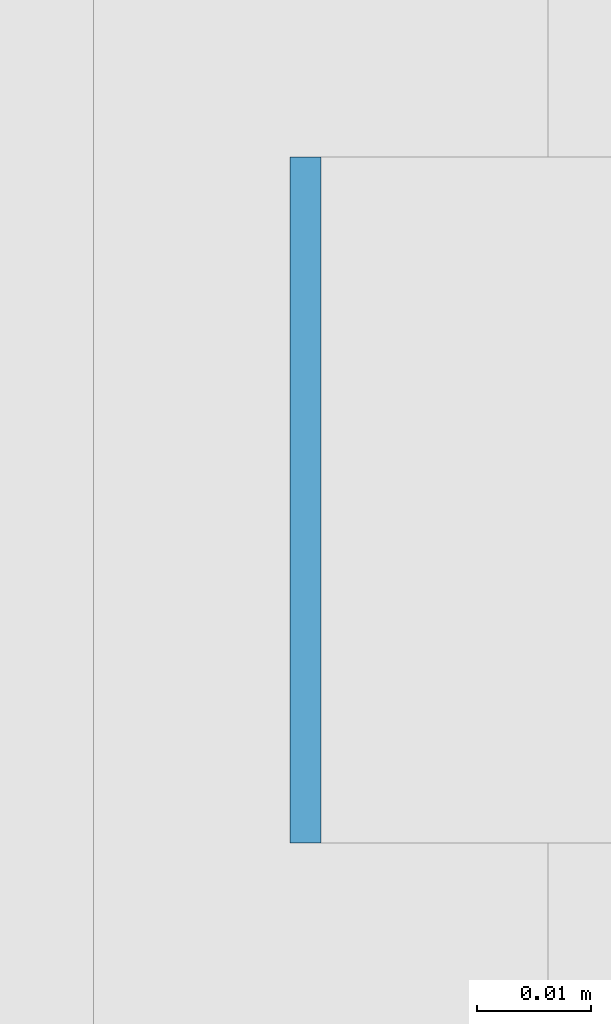
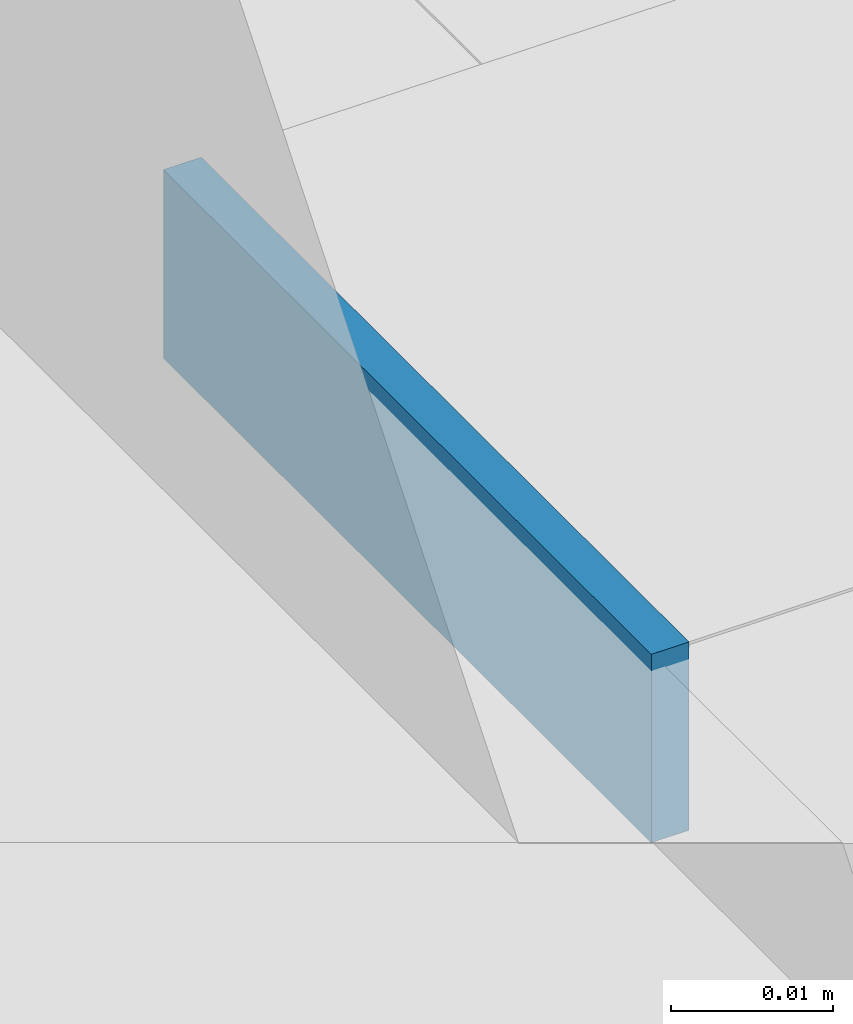
# One storey, part 593 of 646: 1 discrete accessory.
"""IFC4 building model written with IfcOpenShell, lengths in metres."""

from ifc_helpers import new_model, si_unit, direction, frame, origin, origin_2d, place, context, subcontext, project, spatial, rectangle, extrude, material, type_object, element, save


model = new_model("IFC4")

# Units and contexts
model_context = context("Model", 3, precision=1e-05, world=origin(), true_north=direction((0.0, 1.0)))
body_context = subcontext(model_context, "Body", "Model", "MODEL_VIEW")
ifc_project = project(units=[si_unit("LENGTHUNIT", "METRE"), si_unit("AREAUNIT", "SQUARE_METRE"), si_unit("VOLUMEUNIT", "CUBIC_METRE"), si_unit("PLANEANGLEUNIT", "RADIAN"), si_unit("MASSUNIT", "GRAM", prefix="KILO")], contexts=[model_context])

# Site, building, storey
site_placement = place(None, origin())
site = spatial("IfcSite", under=ifc_project, at=site_placement, CompositionType="ELEMENT")
building_placement = place(site_placement, origin())
building = spatial("IfcBuilding", under=site, at=building_placement, Name="Silverbay Arena", CompositionType="ELEMENT")
storey_placement = place(building_placement, frame((0.0, 0.0, 33.5)))
storey = spatial("IfcBuildingStorey", under=building, at=storey_placement, Name="L05", CompositionType="ELEMENT", Elevation=33.5)

# Discrete accessory
ifc_material = material(Name="Steel S355", Category="steel")
discrete_accessory_type = type_object("IfcDiscreteAccessoryType", Name="Steel bracket plate", PredefinedType="BRACKET", material=ifc_material)
discrete_accessory_placement = place(storey_placement, frame((207.128662109375, 119.571533203125, 12.98583984375), z_axis=(0.0, 0.0, 1.0), x_axis=(1.0, 0.0, 0.0)))
element("IfcDiscreteAccessory", 1, at=discrete_accessory_placement, inside=storey, type_object=discrete_accessory_type, Name="Curtain wall packing plate", PredefinedType="BRACKET", context=body_context, shape_type="SweptSolid", body=[
    extrude(rectangle(XDim=0.002685546875, YDim=0.06005859375, at=origin_2d()), origin(), (0.0, 0.0, 1.0), 0.01416015625),
])

save(model, "model.ifc")
